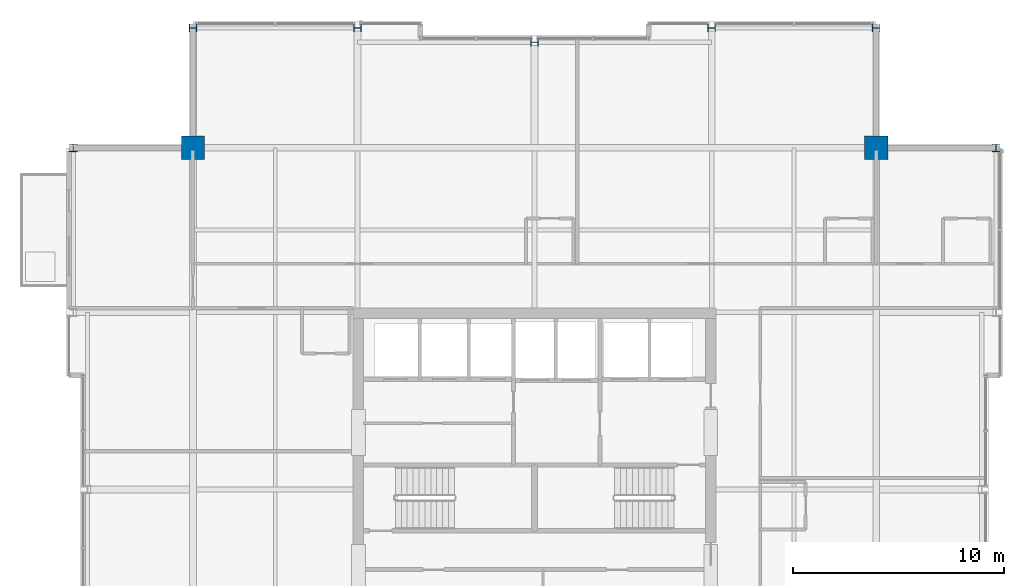
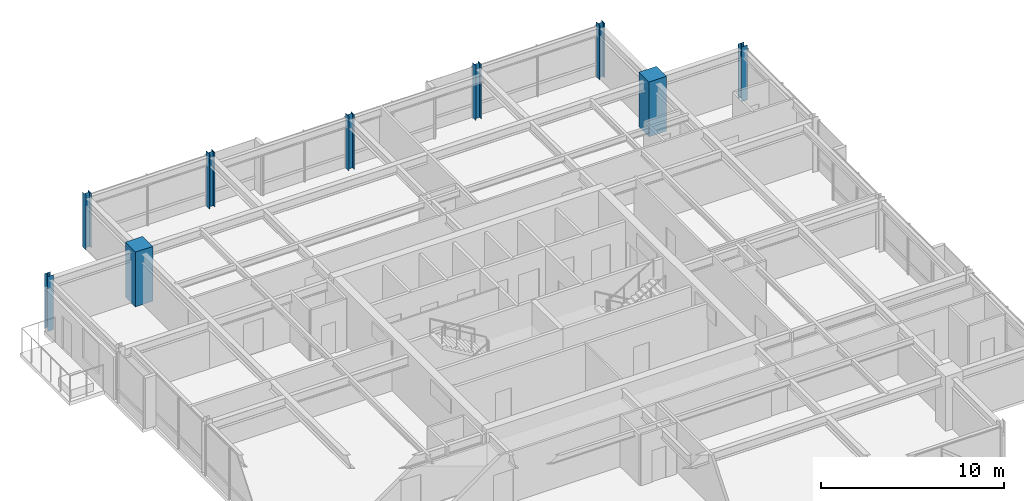
# One storey, part 3 of 33: 9 columns.
"""IFC4 building model written with IfcOpenShell, lengths in metres."""

from ifc_helpers import new_model, si_unit, direction, frame, origin, origin_2d, place, context, subcontext, project, spatial, rectangle, i_section, extrude, material, material_profile, profile_set, type_object, element, save


model = new_model("IFC4")

# Units and contexts
model_context = context("Model", 3, precision=1e-05, world=origin(), true_north=direction((0.0, 1.0)))
body_context = subcontext(model_context, "Body", "Model", "MODEL_VIEW")
ifc_project = project(units=[si_unit("LENGTHUNIT", "METRE"), si_unit("AREAUNIT", "SQUARE_METRE"), si_unit("VOLUMEUNIT", "CUBIC_METRE"), si_unit("PLANEANGLEUNIT", "RADIAN"), si_unit("MASSUNIT", "GRAM", prefix="KILO")], contexts=[model_context])

# Site, building, storey
site_placement = place(None, origin())
site = spatial("IfcSite", under=ifc_project, at=site_placement, CompositionType="ELEMENT")
building_placement = place(site_placement, origin())
building = spatial("IfcBuilding", under=site, at=building_placement, Name="Drelvath Grand Hotel", CompositionType="ELEMENT")
storey_placement = place(building_placement, frame((0.0, 0.0, 275.949951171875)))
storey = spatial("IfcBuildingStorey", under=building, at=storey_placement, Name="L72", CompositionType="ELEMENT", Elevation=275.949951171875)

# Columns
ifc_material_1 = material(Name="Concrete f'c 55 MPa", Category="concrete")
ifc_material_profile_1 = material_profile(ifc_material_1, rectangle(XDim=1.10009765625, YDim=1.10009765625, at=origin_2d()), Name="MC1100X1100")
ifc_profile_set_1 = profile_set([ifc_material_profile_1], Name="Concrete f'c 55 MPa")
column_type_1 = type_object("IfcColumnType", Name="Composite Mega Column MC1100X1100", PredefinedType="COLUMN", material=ifc_profile_set_1)
for number, where, z_axis, x_axis, name in (
    (1, (-16.199951171875, 43.199951171875, 0.0), (0.0, 0.0, 1.0), (1.0, 0.0, 0.0), "L72 Composite Mega Column MC-NW"),
    (2, (16.199951171875, 43.199951171875, 0.0), (0.0, 0.0, 1.0), (1.0, 0.0, 0.0), "L72 Composite Mega Column MC-NE"),
):
    element("IfcColumn", number, at=place(storey_placement, frame(where, z_axis=z_axis, x_axis=x_axis)), inside=storey, type_object=column_type_1, Name=name, PredefinedType="COLUMN", context=body_context, shape_type="SweptSolid", body=[
        extrude(rectangle(XDim=1.10009765625, YDim=1.10009765625, at=origin_2d()), origin(), (0.0, 0.0, 1.0), 3.650146484375),
    ])
ifc_material_2 = material(Name="Steel ASTM A913 Gr 65", Category="steel")
ifc_material_profile_2 = material_profile(ifc_material_2, i_section(OverallWidth=0.368896484375, OverallDepth=0.356201171875, WebThickness=0.01123046875, FlangeThickness=0.01806640625, FilletRadius=0.02490234375, at=origin_2d()), Name="W14X90")
ifc_profile_set_2 = profile_set([ifc_material_profile_2], Name="Steel ASTM A913 Gr 65")
column_type_2 = type_object("IfcColumnType", Name="Perimeter Steel Column W14X90", PredefinedType="COLUMN", material=ifc_profile_set_2)
for number, where, z_axis, x_axis, name in (
    (3, (-21.8798828125, 43.199951171875, 0.0), (0.0, 0.0, 1.0), (1.0, 0.0, 0.0), "L72 Structural Column TCW-G"),
    (4, (21.8798828125, 43.199951171875, 0.0), (0.0, 0.0, 1.0), (1.0, 0.0, 0.0), "L72 Structural Column TCE-G"),
    (5, (-16.199951171875, 48.8798828125, 0.0), (0.0, 0.0, 1.0), (0.0, 1.0, 0.0), "L72 Structural Column TCN-3"),
    (6, (-8.39990234375, 48.8798828125, 0.0), (0.0, 0.0, 1.0), (0.0, 1.0, 0.0), "L72 Structural Column TCN-4"),
    (7, (0.0, 48.199951171875, 0.0), (0.0, 0.0, 1.0), (0.0, 1.0, 0.0), "L72 Structural Column TCN-5"),
    (8, (8.39990234375, 48.8798828125, 0.0), (0.0, 0.0, 1.0), (0.0, 1.0, 0.0), "L72 Structural Column TCN-6"),
    (9, (16.199951171875, 48.8798828125, 0.0), (0.0, 0.0, 1.0), (0.0, 1.0, 0.0), "L72 Structural Column TCN-7"),
):
    element("IfcColumn", number, at=place(storey_placement, frame(where, z_axis=z_axis, x_axis=x_axis)), inside=storey, type_object=column_type_2, Name=name, PredefinedType="COLUMN", context=body_context, shape_type="SweptSolid", body=[
        extrude(i_section(OverallWidth=0.368896484375, OverallDepth=0.356201171875, WebThickness=0.01123046875, FlangeThickness=0.01806640625, FilletRadius=0.02490234375, at=origin_2d()), origin(), (0.0, 0.0, 1.0), 3.64697265625),
    ])

save(model, "model.ifc")
